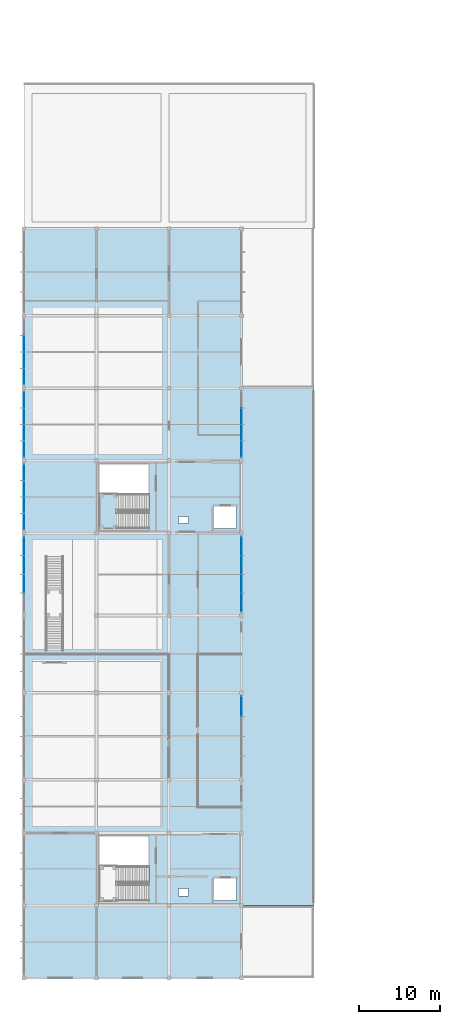
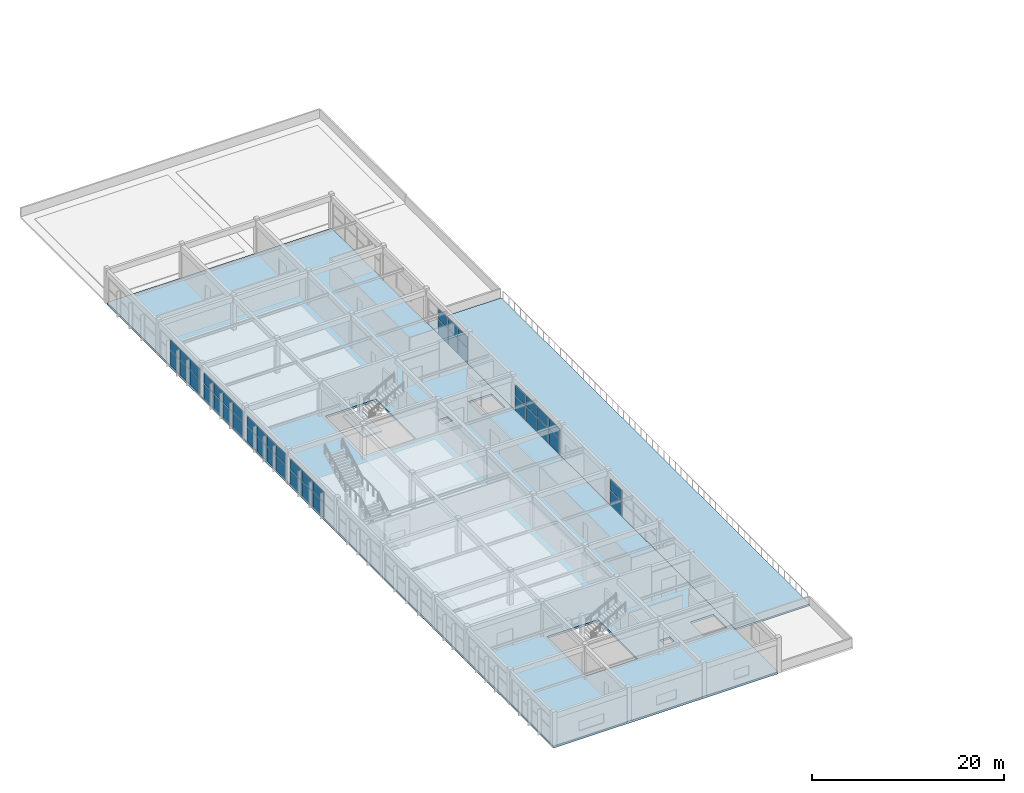
# One storey, part 11 of 22: 44 plates, 3 slabs, 8 elements without a shape of their own.
"""IFC4 building model written with IfcOpenShell, lengths in metres."""

import ifcopenshell
import ifcopenshell.guid

model = None  # the IFC model being written
_history = None  # IfcOwnerHistory: only IFC2X3 demands one
_inside = {}  # id of a spatial element -> (the spatial element, [elements in it])
_under = {}  # id of a project, library or spatial element -> (it, [spatial elements below it])
_declared = {}  # id of a project -> (the project, [libraries it declares])
_typed = {}  # id of a type object -> (the type object, [elements of that type])
_made_of = {}  # id of a material, layer set ... -> (it, [elements and type objects made of it])


def new_model(schema):
    """Start an empty IFC model of exactly this schema.

    Asked for "IFC4X3", IfcOpenShell would pick the latest addendum, in which some entities
    have other attributes; the version numbers below select the first issue.
    IFC2X3 requires an IfcOwnerHistory on every rooted entity: one is made here for all.
    """
    global model, _history
    if schema == "IFC4X3":
        model = ifcopenshell.file(schema_version=(4, 3, 0, 0))
    else:
        model = ifcopenshell.file(schema=schema)
    _inside.clear()
    _under.clear()
    _declared.clear()
    _typed.clear()
    _made_of.clear()
    _history = None
    if model.schema == "IFC2X3":
        org = make("IfcOrganization", Name="unknown")
        user = make(
            "IfcPersonAndOrganization",
            ThePerson=make("IfcPerson", FamilyName="unknown"),
            TheOrganization=org,
        )
        app = make(
            "IfcApplication",
            ApplicationDeveloper=org,
            Version="unknown",
            ApplicationFullName="unknown",
            ApplicationIdentifier="unknown",
        )
        _history = make(
            "IfcOwnerHistory",
            OwningUser=user,
            OwningApplication=app,
            ChangeAction="ADDED",
            CreationDate=0,
        )
    return model


def make(cls, **values):
    """One entity of the class cls with the attributes given. An attribute that is None is left unset."""
    return model.create_entity(
        cls, **{name: value for name, value in values.items() if value is not None}
    )


def rooted(cls, **values):
    """An entity with a GlobalId (a new one), such as an element, a storey or a relation."""
    return make(cls, GlobalId=ifcopenshell.guid.new(), OwnerHistory=_history, **values)


def si_unit(unit_type, name, prefix=None):
    """IfcSIUnit, for example si_unit("LENGTHUNIT", "METRE", prefix="MILLI")."""
    return make("IfcSIUnit", UnitType=unit_type, Prefix=prefix, Name=name)


def assignment(units):
    """IfcUnitAssignment: the units of a project."""
    return None if units is None else make("IfcUnitAssignment", Units=units)


def point(xyz):
    """IfcCartesianPoint."""
    return None if xyz is None else make("IfcCartesianPoint", Coordinates=xyz)


def direction(xyz):
    """IfcDirection."""
    return None if xyz is None else make("IfcDirection", DirectionRatios=xyz)


def frame(location, z_axis=None, x_axis=None):
    """IfcAxis2Placement3D, a coordinate frame: its origin and axes. An axis left out is left unset."""
    return make(
        "IfcAxis2Placement3D",
        Location=point(location),
        Axis=direction(z_axis),
        RefDirection=direction(x_axis),
    )


def origin():
    """The frame at (0, 0, 0) with its axes left unset."""
    return frame((0.0, 0.0, 0.0))


def place(relative_to, where):
    """IfcLocalPlacement: puts the frame where relative to a parent placement (None: the world)."""
    return make(
        "IfcLocalPlacement", PlacementRelTo=relative_to, RelativePlacement=where
    )


def context(
    kind, dimensions, precision=None, world=None, true_north=None, identifier=None
):
    """IfcGeometricRepresentationContext, for example the 3D "Model" context."""
    return make(
        "IfcGeometricRepresentationContext",
        ContextIdentifier=identifier,
        ContextType=kind,
        CoordinateSpaceDimension=dimensions,
        Precision=precision,
        WorldCoordinateSystem=world,
        TrueNorth=true_north,
    )


def subcontext(parent, identifier, kind, view, scale=None):
    """IfcGeometricRepresentationSubContext, for example "Body" below "Model"."""
    return make(
        "IfcGeometricRepresentationSubContext",
        ContextIdentifier=identifier,
        ContextType=kind,
        ParentContext=parent,
        TargetScale=scale,
        TargetView=view,
    )


def project(units=None, contexts=None):
    """IfcProject with its units and contexts."""
    return rooted(
        "IfcProject",
        Name="project",
        RepresentationContexts=contexts,
        UnitsInContext=assignment(units),
    )


def spatial(cls, under=None, at=None, **own):
    """A site, building, storey or space (cls), placed at a placement, below another one or the project."""
    s = rooted(cls, ObjectPlacement=at, **own)
    if under is not None:
        _under.setdefault(under.id(), (under, []))[1].append(s)
    return s


def polyline(points):
    """IfcPolyline through the points."""
    return make("IfcPolyline", Points=[point(p) for p in points])


def outline(outer, holes=None, kind="AREA"):
    """IfcArbitraryClosedProfileDef: a profile drawn as a closed curve; with holes, ...WithVoids."""
    if holes is None:
        return make("IfcArbitraryClosedProfileDef", ProfileType=kind, OuterCurve=outer)
    return make(
        "IfcArbitraryProfileDefWithVoids",
        ProfileType=kind,
        OuterCurve=outer,
        InnerCurves=holes,
    )


def extrude(swept, where, along, depth):
    """IfcExtrudedAreaSolid: the profile swept, set in the frame where, extruded along a direction by depth."""
    return make(
        "IfcExtrudedAreaSolid",
        SweptArea=swept,
        Position=where,
        ExtrudedDirection=direction(along),
        Depth=depth,
    )


def shape(context_of_items, identifier, shape_type, items):
    """IfcShapeRepresentation: the items that make up one representation, for example the "Body"."""
    return make(
        "IfcShapeRepresentation",
        ContextOfItems=context_of_items,
        RepresentationIdentifier=identifier,
        RepresentationType=shape_type,
        Items=items,
    )


def material(Name=None, Category=None):
    """IfcMaterial."""
    return make("IfcMaterial", Name=Name, Category=Category)


def layer(
    of_material, thickness, ventilated=None, Name=None, Category=None, Priority=None
):
    """IfcMaterialLayer: one layer of a wall or slab, of a material (None: an air gap)."""
    return make(
        "IfcMaterialLayer",
        Material=of_material,
        LayerThickness=thickness,
        IsVentilated=ventilated,
        Name=Name,
        Category=Category,
        Priority=Priority,
    )


def layer_set(layers, Name=None):
    """IfcMaterialLayerSet."""
    return make("IfcMaterialLayerSet", MaterialLayers=layers, LayerSetName=Name)


def made_of(thing, what):
    """Note that an element or type object is made of a material, layer set ...; save() writes the relation."""
    if what is not None:
        _made_of.setdefault(what.id(), (what, []))[1].append(thing)
    return thing


def type_object(cls, material=None, **own):
    """A type object (cls), such as IfcWallType, which elements share."""
    return made_of(rooted(cls, **own), material)


def element(
    cls,
    number,
    at=None,
    inside=None,
    cuts=None,
    type_object=None,
    material=None,
    context=None,
    identifier="Body",
    shape_type=None,
    held_by="IfcProductDefinitionShape",
    body=None,
    shapes=None,
    **own,
):
    """One element of the class cls, such as IfcWall. Its Tag is "e" and its number.

    at: its placement. inside: the storey or other place that contains it. cuts: it is an
    opening in that element (IfcRelVoidsElement). A single representation is given by context,
    identifier, shape_type and body (its items); several are given by shapes. held_by: the class
    of the entity that holds the representations. save() writes the other relations.
    """
    e = rooted(cls, Tag="e%d" % number, ObjectPlacement=at, **own)
    if body is not None:
        shapes = [shape(context, identifier, shape_type, body)]
    if shapes is not None:
        e.Representation = make(held_by, Representations=shapes)
    if inside is not None:
        _inside.setdefault(inside.id(), (inside, []))[1].append(e)
    if cuts is not None:
        rooted(
            "IfcRelVoidsElement", RelatingBuildingElement=cuts, RelatedOpeningElement=e
        )
    if type_object is not None:
        _typed.setdefault(type_object.id(), (type_object, []))[1].append(e)
    return made_of(e, material)


def aggregate(whole, parts):
    """IfcRelAggregates: a whole, such as a stair, and the parts it consists of."""
    return rooted("IfcRelAggregates", RelatingObject=whole, RelatedObjects=parts)


def save(model, path):
    """Write the relations noted so far, then the file.

    IfcRelAggregates (storeys below a building ...), IfcRelContainedInSpatialStructure (elements
    in a storey), IfcRelDefinesByType, IfcRelAssociatesMaterial and IfcRelDeclares: one each for
    every whole, place, type object, material and project.
    """
    for whole, parts in _under.values():
        aggregate(whole, parts)
    for where, things in _inside.values():
        rooted(
            "IfcRelContainedInSpatialStructure",
            RelatedElements=things,
            RelatingStructure=where,
        )
    for kind, things in _typed.values():
        rooted("IfcRelDefinesByType", RelatedObjects=things, RelatingType=kind)
    for what, things in _made_of.values():
        rooted("IfcRelAssociatesMaterial", RelatedObjects=things, RelatingMaterial=what)
    for by, libraries in _declared.values():
        rooted("IfcRelDeclares", RelatingContext=by, RelatedDefinitions=libraries)
    model.write(path)


model = new_model("IFC4")

# Units and contexts
model_context = context("Model", 3, precision=1e-05, world=origin(), true_north=direction((0.0, 1.0)))
body_context = subcontext(model_context, "Body", "Model", "MODEL_VIEW")
ifc_project = project(units=[si_unit("LENGTHUNIT", "METRE"), si_unit("AREAUNIT", "SQUARE_METRE"), si_unit("VOLUMEUNIT", "CUBIC_METRE"), si_unit("PLANEANGLEUNIT", "RADIAN"), si_unit("MASSUNIT", "GRAM", prefix="KILO")], contexts=[model_context])

# Site, building, storey
site_placement = place(None, origin())
site = spatial("IfcSite", under=ifc_project, at=site_placement, CompositionType="ELEMENT")
building_placement = place(site_placement, origin())
building = spatial("IfcBuilding", under=site, at=building_placement, Name="Suirenkawa Promenade Aquatics Centre", CompositionType="ELEMENT")
storey_placement = place(building_placement, frame((0.0, 0.0, 14.10009765625)))
storey = spatial("IfcBuildingStorey", under=building, at=storey_placement, Name="L03", CompositionType="ELEMENT", Elevation=14.10009765625)

# Curtain wall, plates
ifc_material_1 = material(Name="Anodised aluminium 6063-T6", Category="aluminium")
curtain_wall_type_1 = type_object("IfcCurtainWallType", Name="CWAT-V5EL03-74", PredefinedType="NOTDEFINED", material=ifc_material_1)
curtain_wall_1_placement = place(storey_placement, origin())
curtain_wall_1 = element("IfcCurtainWall", 1, at=curtain_wall_1_placement, inside=storey, type_object=curtain_wall_type_1, Name="Curtain wall CWA-74 CW-135", PredefinedType="NOTDEFINED")
ifc_material_2 = material(Name="Low-E thermally broken double glazing", Category="glass")
ifc_layer_1 = layer(ifc_material_2, 0.028076171875, Name="Low-E thermally broken double glazing", Category="glass")
ifc_layer_set_1 = layer_set([ifc_layer_1], Name="Low-E thermally broken double glazing")
plate_type_1 = type_object("IfcPlateType", Name="CWP-LOWE-28", PredefinedType="CURTAIN_PANEL", material=ifc_layer_set_1)
plate_1_placement = place(storey_placement, frame((27.0, 39.15087890625, 0.039794921875), z_axis=(0.0, 0.0, 1.0), x_axis=(0.0, -1.0, 0.0)))
plate_1 = element("IfcPlate", 2, at=plate_1_placement, type_object=plate_type_1, Name="Glazed panel CP-02 CWP-02743", PredefinedType="CURTAIN_PANEL", context=body_context, shape_type="SweptSolid", body=[
    extrude(outline(polyline([(0.0400390625, 0.0), (2.435546875, 0.0), (2.435546875, 1.8701171875), (0.0400390625, 1.8701171875), (0.0400390625, 0.0)])), frame((0.0, 0.01416015625, 0.0), z_axis=(0.0, -1.0, 0.0), x_axis=(1.0, 0.0, 0.0)), (0.0, 0.0, 1.0), 0.028076171875),
])
plate_2_placement = place(storey_placement, frame((27.0, 39.15087890625, 1.989990234375), z_axis=(0.0, 0.0, 1.0), x_axis=(0.0, -1.0, 0.0)))
plate_2 = element("IfcPlate", 3, at=plate_2_placement, type_object=plate_type_1, Name="Top glazed panel CP-02 CWP-02744", PredefinedType="CURTAIN_PANEL", context=body_context, shape_type="SweptSolid", body=[
    extrude(outline(polyline([(0.0400390625, 0.0), (2.435546875, 0.0), (2.435546875, 1.33984375), (0.0400390625, 1.33984375), (0.0400390625, 0.0)])), frame((0.0, 0.01416015625, 0.0), z_axis=(0.0, -1.0, 0.0), x_axis=(1.0, 0.0, 0.0)), (0.0, 0.0, 1.0), 0.028076171875),
])
aggregate(curtain_wall_1, [plate_1, plate_2])

curtain_wall_type_2 = type_object("IfcCurtainWallType", Name="CWAT-V5EL03-77", PredefinedType="NOTDEFINED", material=ifc_material_1)
curtain_wall_2_placement = place(storey_placement, origin())
curtain_wall_2 = element("IfcCurtainWall", 4, at=curtain_wall_2_placement, inside=storey, type_object=curtain_wall_type_2, Name="Curtain wall CWA-77 CW-138", PredefinedType="NOTDEFINED")
plate_3_placement = place(storey_placement, frame((27.0, 58.950927734375, 0.039794921875), z_axis=(0.0, 0.0, 1.0), x_axis=(0.0, -1.0, 0.0)))
plate_3 = element("IfcPlate", 5, at=plate_3_placement, type_object=plate_type_1, Name="Glazed panel CP-02 CWP-02809", PredefinedType="CURTAIN_PANEL", context=body_context, shape_type="SweptSolid", body=[
    extrude(outline(polyline([(0.0400390625, 0.0), (2.285400390625, 0.0), (2.285400390625, 1.8701171875), (0.0400390625, 1.8701171875), (0.0400390625, 0.0)])), frame((0.0, 0.01416015625, 0.0), z_axis=(0.0, -1.0, 0.0), x_axis=(1.0, 0.0, 0.0)), (0.0, 0.0, 1.0), 0.028076171875),
])
plate_4_placement = place(storey_placement, frame((27.0, 58.950927734375, 1.989990234375), z_axis=(0.0, 0.0, 1.0), x_axis=(0.0, -1.0, 0.0)))
plate_4 = element("IfcPlate", 6, at=plate_4_placement, type_object=plate_type_1, Name="Top glazed panel CP-02 CWP-02810", PredefinedType="CURTAIN_PANEL", context=body_context, shape_type="SweptSolid", body=[
    extrude(outline(polyline([(0.0400390625, 0.0), (2.285400390625, 0.0), (2.285400390625, 1.33984375), (0.0400390625, 1.33984375), (0.0400390625, 0.0)])), frame((0.0, 0.01416015625, 0.0), z_axis=(0.0, -1.0, 0.0), x_axis=(1.0, 0.0, 0.0)), (0.0, 0.0, 1.0), 0.028076171875),
])
plate_5_placement = place(storey_placement, frame((27.0, 56.62548828125, 0.039794921875), z_axis=(0.0, 0.0, 1.0), x_axis=(0.0, -1.0, 0.0)))
plate_5 = element("IfcPlate", 7, at=plate_5_placement, type_object=plate_type_1, Name="Glazed panel CP-02 CWP-02811", PredefinedType="CURTAIN_PANEL", context=body_context, shape_type="SweptSolid", body=[
    extrude(outline(polyline([(0.0400390625, 0.0), (2.285400390625, 0.0), (2.285400390625, 1.8701171875), (0.0400390625, 1.8701171875), (0.0400390625, 0.0)])), frame((0.0, 0.01416015625, 0.0), z_axis=(0.0, -1.0, 0.0), x_axis=(1.0, 0.0, 0.0)), (0.0, 0.0, 1.0), 0.028076171875),
])
plate_6_placement = place(storey_placement, frame((27.0, 56.62548828125, 1.989990234375), z_axis=(0.0, 0.0, 1.0), x_axis=(0.0, -1.0, 0.0)))
plate_6 = element("IfcPlate", 8, at=plate_6_placement, type_object=plate_type_1, Name="Top glazed panel CP-02 CWP-02812", PredefinedType="CURTAIN_PANEL", context=body_context, shape_type="SweptSolid", body=[
    extrude(outline(polyline([(0.0400390625, 0.0), (2.285400390625, 0.0), (2.285400390625, 1.33984375), (0.0400390625, 1.33984375), (0.0400390625, 0.0)])), frame((0.0, 0.01416015625, 0.0), z_axis=(0.0, -1.0, 0.0), x_axis=(1.0, 0.0, 0.0)), (0.0, 0.0, 1.0), 0.028076171875),
])
plate_7_placement = place(storey_placement, frame((27.0, 54.300048828125, 0.039794921875), z_axis=(0.0, 0.0, 1.0), x_axis=(0.0, -1.0, 0.0)))
plate_7 = element("IfcPlate", 9, at=plate_7_placement, type_object=plate_type_1, Name="Glazed panel CP-02 CWP-02813", PredefinedType="CURTAIN_PANEL", context=body_context, shape_type="SweptSolid", body=[
    extrude(outline(polyline([(0.0400390625, 0.0), (2.285400390625, 0.0), (2.285400390625, 1.8701171875), (0.0400390625, 1.8701171875), (0.0400390625, 0.0)])), frame((0.0, 0.01416015625, 0.0), z_axis=(0.0, -1.0, 0.0), x_axis=(1.0, 0.0, 0.0)), (0.0, 0.0, 1.0), 0.028076171875),
])
plate_8_placement = place(storey_placement, frame((27.0, 54.300048828125, 1.989990234375), z_axis=(0.0, 0.0, 1.0), x_axis=(0.0, -1.0, 0.0)))
plate_8 = element("IfcPlate", 10, at=plate_8_placement, type_object=plate_type_1, Name="Top glazed panel CP-02 CWP-02814", PredefinedType="CURTAIN_PANEL", context=body_context, shape_type="SweptSolid", body=[
    extrude(outline(polyline([(0.0400390625, 0.0), (2.285400390625, 0.0), (2.285400390625, 1.33984375), (0.0400390625, 1.33984375), (0.0400390625, 0.0)])), frame((0.0, 0.01416015625, 0.0), z_axis=(0.0, -1.0, 0.0), x_axis=(1.0, 0.0, 0.0)), (0.0, 0.0, 1.0), 0.028076171875),
])
plate_9_placement = place(storey_placement, frame((27.0, 51.974609375, 0.039794921875), z_axis=(0.0, 0.0, 1.0), x_axis=(0.0, -1.0, 0.0)))
plate_9 = element("IfcPlate", 11, at=plate_9_placement, type_object=plate_type_1, Name="Glazed panel CP-02 CWP-02815", PredefinedType="CURTAIN_PANEL", context=body_context, shape_type="SweptSolid", body=[
    extrude(outline(polyline([(0.0400390625, 0.0), (2.285400390625, 0.0), (2.285400390625, 1.8701171875), (0.0400390625, 1.8701171875), (0.0400390625, 0.0)])), frame((0.0, 0.01416015625, 0.0), z_axis=(0.0, -1.0, 0.0), x_axis=(1.0, 0.0, 0.0)), (0.0, 0.0, 1.0), 0.028076171875),
])
plate_10_placement = place(storey_placement, frame((27.0, 51.974609375, 1.989990234375), z_axis=(0.0, 0.0, 1.0), x_axis=(0.0, -1.0, 0.0)))
plate_10 = element("IfcPlate", 12, at=plate_10_placement, type_object=plate_type_1, Name="Top glazed panel CP-02 CWP-02816", PredefinedType="CURTAIN_PANEL", context=body_context, shape_type="SweptSolid", body=[
    extrude(outline(polyline([(0.0400390625, 0.0), (2.285400390625, 0.0), (2.285400390625, 1.33984375), (0.0400390625, 1.33984375), (0.0400390625, 0.0)])), frame((0.0, 0.01416015625, 0.0), z_axis=(0.0, -1.0, 0.0), x_axis=(1.0, 0.0, 0.0)), (0.0, 0.0, 1.0), 0.028076171875),
])
aggregate(curtain_wall_2, [plate_3, plate_4, plate_5, plate_6, plate_7, plate_8, plate_9, plate_10])

curtain_wall_type_3 = type_object("IfcCurtainWallType", Name="CWAT-V5EL03-78", PredefinedType="NOTDEFINED", material=ifc_material_1)
curtain_wall_3_placement = place(storey_placement, origin())
curtain_wall_3 = element("IfcCurtainWall", 13, at=curtain_wall_3_placement, inside=storey, type_object=curtain_wall_type_3, Name="Curtain wall CWA-78 CW-141", PredefinedType="NOTDEFINED")
plate_11_placement = place(storey_placement, frame((27.0, 74.925537109375, 0.039794921875), z_axis=(0.0, 0.0, 1.0), x_axis=(0.0, -1.0, 0.0)))
plate_11 = element("IfcPlate", 14, at=plate_11_placement, type_object=plate_type_1, Name="Glazed panel CP-02 CWP-02877", PredefinedType="CURTAIN_PANEL", context=body_context, shape_type="SweptSolid", body=[
    extrude(outline(polyline([(0.0400390625, 0.0), (1.985595703125, 0.0), (1.985595703125, 1.8701171875), (0.0400390625, 1.8701171875), (0.0400390625, 0.0)])), frame((0.0, 0.01416015625, 0.0), z_axis=(0.0, -1.0, 0.0), x_axis=(1.0, 0.0, 0.0)), (0.0, 0.0, 1.0), 0.028076171875),
])
plate_12_placement = place(storey_placement, frame((27.0, 74.925537109375, 1.989990234375), z_axis=(0.0, 0.0, 1.0), x_axis=(0.0, -1.0, 0.0)))
plate_12 = element("IfcPlate", 15, at=plate_12_placement, type_object=plate_type_1, Name="Top glazed panel CP-02 CWP-02878", PredefinedType="CURTAIN_PANEL", context=body_context, shape_type="SweptSolid", body=[
    extrude(outline(polyline([(0.0400390625, 0.0), (1.985595703125, 0.0), (1.985595703125, 1.33984375), (0.0400390625, 1.33984375), (0.0400390625, 0.0)])), frame((0.0, 0.01416015625, 0.0), z_axis=(0.0, -1.0, 0.0), x_axis=(1.0, 0.0, 0.0)), (0.0, 0.0, 1.0), 0.028076171875),
])
plate_13_placement = place(storey_placement, frame((27.0, 72.89990234375, 0.039794921875), z_axis=(0.0, 0.0, 1.0), x_axis=(0.0, -1.0, 0.0)))
plate_13 = element("IfcPlate", 16, at=plate_13_placement, type_object=plate_type_1, Name="Glazed panel CP-02 CWP-02879", PredefinedType="CURTAIN_PANEL", context=body_context, shape_type="SweptSolid", body=[
    extrude(outline(polyline([(0.0400390625, 0.0), (1.985595703125, 0.0), (1.985595703125, 1.8701171875), (0.0400390625, 1.8701171875), (0.0400390625, 0.0)])), frame((0.0, 0.01416015625, 0.0), z_axis=(0.0, -1.0, 0.0), x_axis=(1.0, 0.0, 0.0)), (0.0, 0.0, 1.0), 0.028076171875),
])
plate_14_placement = place(storey_placement, frame((27.0, 72.89990234375, 1.989990234375), z_axis=(0.0, 0.0, 1.0), x_axis=(0.0, -1.0, 0.0)))
plate_14 = element("IfcPlate", 17, at=plate_14_placement, type_object=plate_type_1, Name="Top glazed panel CP-02 CWP-02880", PredefinedType="CURTAIN_PANEL", context=body_context, shape_type="SweptSolid", body=[
    extrude(outline(polyline([(0.0400390625, 0.0), (1.985595703125, 0.0), (1.985595703125, 1.33984375), (0.0400390625, 1.33984375), (0.0400390625, 0.0)])), frame((0.0, 0.01416015625, 0.0), z_axis=(0.0, -1.0, 0.0), x_axis=(1.0, 0.0, 0.0)), (0.0, 0.0, 1.0), 0.028076171875),
])
plate_15_placement = place(storey_placement, frame((27.0, 70.87451171875, 0.039794921875), z_axis=(0.0, 0.0, 1.0), x_axis=(0.0, -1.0, 0.0)))
plate_15 = element("IfcPlate", 18, at=plate_15_placement, type_object=plate_type_1, Name="Glazed panel CP-02 CWP-02881", PredefinedType="CURTAIN_PANEL", context=body_context, shape_type="SweptSolid", body=[
    extrude(outline(polyline([(0.0400390625, 0.0), (1.985595703125, 0.0), (1.985595703125, 1.8701171875), (0.0400390625, 1.8701171875), (0.0400390625, 0.0)])), frame((0.0, 0.01416015625, 0.0), z_axis=(0.0, -1.0, 0.0), x_axis=(1.0, 0.0, 0.0)), (0.0, 0.0, 1.0), 0.028076171875),
])
plate_16_placement = place(storey_placement, frame((27.0, 70.87451171875, 1.989990234375), z_axis=(0.0, 0.0, 1.0), x_axis=(0.0, -1.0, 0.0)))
plate_16 = element("IfcPlate", 19, at=plate_16_placement, type_object=plate_type_1, Name="Top glazed panel CP-02 CWP-02882", PredefinedType="CURTAIN_PANEL", context=body_context, shape_type="SweptSolid", body=[
    extrude(outline(polyline([(0.0400390625, 0.0), (1.985595703125, 0.0), (1.985595703125, 1.33984375), (0.0400390625, 1.33984375), (0.0400390625, 0.0)])), frame((0.0, 0.01416015625, 0.0), z_axis=(0.0, -1.0, 0.0), x_axis=(1.0, 0.0, 0.0)), (0.0, 0.0, 1.0), 0.028076171875),
])
aggregate(curtain_wall_3, [plate_11, plate_12, plate_13, plate_14, plate_15, plate_16])

curtain_wall_type_4 = type_object("IfcCurtainWallType", Name="CWAT-V5WL03-76", PredefinedType="NOTDEFINED", material=ifc_material_1)
curtain_wall_4_placement = place(storey_placement, origin())
curtain_wall_4 = element("IfcCurtainWall", 20, at=curtain_wall_4_placement, inside=storey, type_object=curtain_wall_type_4, Name="Curtain wall CWA-76 CW-137", PredefinedType="NOTDEFINED")
ifc_material_3 = material(Name="Ceramic-fritted low-SHGC double glazing", Category="glass")
ifc_layer_2 = layer(ifc_material_3, 0.035888671875, Name="Ceramic-fritted low-SHGC double glazing", Category="glass")
ifc_layer_set_2 = layer_set([ifc_layer_2], Name="Ceramic-fritted low-SHGC double glazing")
plate_type_2 = type_object("IfcPlateType", Name="CWP-SHOJI-36", PredefinedType="CURTAIN_PANEL", material=ifc_layer_set_2)
plate_17_placement = place(storey_placement, frame((0.0, 51.974609375, 0.039794921875), z_axis=(0.0, 0.0, 1.0), x_axis=(0.0, 1.0, 0.0)))
plate_17 = element("IfcPlate", 21, at=plate_17_placement, type_object=plate_type_2, Name="Glazed panel CP-01 CWP-02789", PredefinedType="CURTAIN_PANEL", context=body_context, shape_type="SweptSolid", body=[
    extrude(outline(polyline([(0.0400390625, 0.0), (2.285400390625, 0.0), (2.285400390625, 1.8701171875), (0.0400390625, 1.8701171875), (0.0400390625, 0.0)])), frame((0.0, 0.01806640625, 0.0), z_axis=(0.0, -1.0, 0.0), x_axis=(1.0, 0.0, 0.0)), (0.0, 0.0, 1.0), 0.035888671875),
])
plate_18_placement = place(storey_placement, frame((0.0, 51.974609375, 1.989990234375), z_axis=(0.0, 0.0, 1.0), x_axis=(0.0, 1.0, 0.0)))
plate_18 = element("IfcPlate", 22, at=plate_18_placement, type_object=plate_type_2, Name="Top glazed panel CP-01 CWP-02790", PredefinedType="CURTAIN_PANEL", context=body_context, shape_type="SweptSolid", body=[
    extrude(outline(polyline([(0.0400390625, 0.0), (2.285400390625, 0.0), (2.285400390625, 1.33984375), (0.0400390625, 1.33984375), (0.0400390625, 0.0)])), frame((0.0, 0.01806640625, 0.0), z_axis=(0.0, -1.0, 0.0), x_axis=(1.0, 0.0, 0.0)), (0.0, 0.0, 1.0), 0.035888671875),
])
plate_19_placement = place(storey_placement, frame((0.0, 54.300048828125, 0.039794921875), z_axis=(0.0, 0.0, 1.0), x_axis=(0.0, 1.0, 0.0)))
plate_19 = element("IfcPlate", 23, at=plate_19_placement, type_object=plate_type_2, Name="Glazed panel CP-01 CWP-02791", PredefinedType="CURTAIN_PANEL", context=body_context, shape_type="SweptSolid", body=[
    extrude(outline(polyline([(0.0400390625, 0.0), (2.285400390625, 0.0), (2.285400390625, 1.8701171875), (0.0400390625, 1.8701171875), (0.0400390625, 0.0)])), frame((0.0, 0.01806640625, 0.0), z_axis=(0.0, -1.0, 0.0), x_axis=(1.0, 0.0, 0.0)), (0.0, 0.0, 1.0), 0.035888671875),
])
plate_20_placement = place(storey_placement, frame((0.0, 54.300048828125, 1.989990234375), z_axis=(0.0, 0.0, 1.0), x_axis=(0.0, 1.0, 0.0)))
plate_20 = element("IfcPlate", 24, at=plate_20_placement, type_object=plate_type_2, Name="Top glazed panel CP-01 CWP-02792", PredefinedType="CURTAIN_PANEL", context=body_context, shape_type="SweptSolid", body=[
    extrude(outline(polyline([(0.0400390625, 0.0), (2.285400390625, 0.0), (2.285400390625, 1.33984375), (0.0400390625, 1.33984375), (0.0400390625, 0.0)])), frame((0.0, 0.01806640625, 0.0), z_axis=(0.0, -1.0, 0.0), x_axis=(1.0, 0.0, 0.0)), (0.0, 0.0, 1.0), 0.035888671875),
])
plate_21_placement = place(storey_placement, frame((0.0, 56.62548828125, 0.039794921875), z_axis=(0.0, 0.0, 1.0), x_axis=(0.0, 1.0, 0.0)))
plate_21 = element("IfcPlate", 25, at=plate_21_placement, type_object=plate_type_2, Name="Glazed panel CP-01 CWP-02793", PredefinedType="CURTAIN_PANEL", context=body_context, shape_type="SweptSolid", body=[
    extrude(outline(polyline([(0.0400390625, 0.0), (2.285400390625, 0.0), (2.285400390625, 1.8701171875), (0.0400390625, 1.8701171875), (0.0400390625, 0.0)])), frame((0.0, 0.01806640625, 0.0), z_axis=(0.0, -1.0, 0.0), x_axis=(1.0, 0.0, 0.0)), (0.0, 0.0, 1.0), 0.035888671875),
])
plate_22_placement = place(storey_placement, frame((0.0, 56.62548828125, 1.989990234375), z_axis=(0.0, 0.0, 1.0), x_axis=(0.0, 1.0, 0.0)))
plate_22 = element("IfcPlate", 26, at=plate_22_placement, type_object=plate_type_2, Name="Top glazed panel CP-01 CWP-02794", PredefinedType="CURTAIN_PANEL", context=body_context, shape_type="SweptSolid", body=[
    extrude(outline(polyline([(0.0400390625, 0.0), (2.285400390625, 0.0), (2.285400390625, 1.33984375), (0.0400390625, 1.33984375), (0.0400390625, 0.0)])), frame((0.0, 0.01806640625, 0.0), z_axis=(0.0, -1.0, 0.0), x_axis=(1.0, 0.0, 0.0)), (0.0, 0.0, 1.0), 0.035888671875),
])
aggregate(curtain_wall_4, [plate_17, plate_18, plate_19, plate_20, plate_21, plate_22])

curtain_wall_type_5 = type_object("IfcCurtainWallType", Name="CWAT-V5WL03-71", PredefinedType="NOTDEFINED", material=ifc_material_1)
curtain_wall_5_placement = place(storey_placement, origin())
curtain_wall_5 = element("IfcCurtainWall", 27, at=curtain_wall_5_placement, inside=storey, type_object=curtain_wall_type_5, Name="Curtain wall CWA-71 CW-139", PredefinedType="NOTDEFINED")
plate_23_placement = place(storey_placement, frame((0.0, 59.84912109375, 0.039794921875), z_axis=(0.0, 0.0, 1.0), x_axis=(0.0, 1.0, 0.0)))
plate_23 = element("IfcPlate", 28, at=plate_23_placement, type_object=plate_type_2, Name="Glazed panel CP-01 CWP-02831", PredefinedType="CURTAIN_PANEL", context=body_context, shape_type="SweptSolid", body=[
    extrude(outline(polyline([(0.0400390625, 0.0), (1.985595703125, 0.0), (1.985595703125, 1.8701171875), (0.0400390625, 1.8701171875), (0.0400390625, 0.0)])), frame((0.0, 0.01806640625, 0.0), z_axis=(0.0, -1.0, 0.0), x_axis=(1.0, 0.0, 0.0)), (0.0, 0.0, 1.0), 0.035888671875),
])
plate_24_placement = place(storey_placement, frame((0.0, 59.84912109375, 1.989990234375), z_axis=(0.0, 0.0, 1.0), x_axis=(0.0, 1.0, 0.0)))
plate_24 = element("IfcPlate", 29, at=plate_24_placement, type_object=plate_type_2, Name="Top glazed panel CP-01 CWP-02832", PredefinedType="CURTAIN_PANEL", context=body_context, shape_type="SweptSolid", body=[
    extrude(outline(polyline([(0.0400390625, 0.0), (1.985595703125, 0.0), (1.985595703125, 1.33984375), (0.0400390625, 1.33984375), (0.0400390625, 0.0)])), frame((0.0, 0.01806640625, 0.0), z_axis=(0.0, -1.0, 0.0), x_axis=(1.0, 0.0, 0.0)), (0.0, 0.0, 1.0), 0.035888671875),
])
plate_25_placement = place(storey_placement, frame((0.0, 61.87451171875, 0.039794921875), z_axis=(0.0, 0.0, 1.0), x_axis=(0.0, 1.0, 0.0)))
plate_25 = element("IfcPlate", 30, at=plate_25_placement, type_object=plate_type_2, Name="Glazed panel CP-01 CWP-02833", PredefinedType="CURTAIN_PANEL", context=body_context, shape_type="SweptSolid", body=[
    extrude(outline(polyline([(0.0400390625, 0.0), (1.985595703125, 0.0), (1.985595703125, 1.8701171875), (0.0400390625, 1.8701171875), (0.0400390625, 0.0)])), frame((0.0, 0.01806640625, 0.0), z_axis=(0.0, -1.0, 0.0), x_axis=(1.0, 0.0, 0.0)), (0.0, 0.0, 1.0), 0.035888671875),
])
plate_26_placement = place(storey_placement, frame((0.0, 61.87451171875, 1.989990234375), z_axis=(0.0, 0.0, 1.0), x_axis=(0.0, 1.0, 0.0)))
plate_26 = element("IfcPlate", 31, at=plate_26_placement, type_object=plate_type_2, Name="Top glazed panel CP-01 CWP-02834", PredefinedType="CURTAIN_PANEL", context=body_context, shape_type="SweptSolid", body=[
    extrude(outline(polyline([(0.0400390625, 0.0), (1.985595703125, 0.0), (1.985595703125, 1.33984375), (0.0400390625, 1.33984375), (0.0400390625, 0.0)])), frame((0.0, 0.01806640625, 0.0), z_axis=(0.0, -1.0, 0.0), x_axis=(1.0, 0.0, 0.0)), (0.0, 0.0, 1.0), 0.035888671875),
])
plate_27_placement = place(storey_placement, frame((0.0, 63.89990234375, 0.039794921875), z_axis=(0.0, 0.0, 1.0), x_axis=(0.0, 1.0, 0.0)))
plate_27 = element("IfcPlate", 32, at=plate_27_placement, type_object=plate_type_2, Name="Glazed panel CP-01 CWP-02835", PredefinedType="CURTAIN_PANEL", context=body_context, shape_type="SweptSolid", body=[
    extrude(outline(polyline([(0.0400390625, 0.0), (1.985595703125, 0.0), (1.985595703125, 1.8701171875), (0.0400390625, 1.8701171875), (0.0400390625, 0.0)])), frame((0.0, 0.01806640625, 0.0), z_axis=(0.0, -1.0, 0.0), x_axis=(1.0, 0.0, 0.0)), (0.0, 0.0, 1.0), 0.035888671875),
])
plate_28_placement = place(storey_placement, frame((0.0, 63.89990234375, 1.989990234375), z_axis=(0.0, 0.0, 1.0), x_axis=(0.0, 1.0, 0.0)))
plate_28 = element("IfcPlate", 33, at=plate_28_placement, type_object=plate_type_2, Name="Top glazed panel CP-01 CWP-02836", PredefinedType="CURTAIN_PANEL", context=body_context, shape_type="SweptSolid", body=[
    extrude(outline(polyline([(0.0400390625, 0.0), (1.985595703125, 0.0), (1.985595703125, 1.33984375), (0.0400390625, 1.33984375), (0.0400390625, 0.0)])), frame((0.0, 0.01806640625, 0.0), z_axis=(0.0, -1.0, 0.0), x_axis=(1.0, 0.0, 0.0)), (0.0, 0.0, 1.0), 0.035888671875),
])
plate_29_placement = place(storey_placement, frame((0.0, 65.925537109375, 0.039794921875), z_axis=(0.0, 0.0, 1.0), x_axis=(0.0, 1.0, 0.0)))
plate_29 = element("IfcPlate", 34, at=plate_29_placement, type_object=plate_type_2, Name="Glazed panel CP-01 CWP-02837", PredefinedType="CURTAIN_PANEL", context=body_context, shape_type="SweptSolid", body=[
    extrude(outline(polyline([(0.0400390625, 0.0), (1.985595703125, 0.0), (1.985595703125, 1.8701171875), (0.0400390625, 1.8701171875), (0.0400390625, 0.0)])), frame((0.0, 0.01806640625, 0.0), z_axis=(0.0, -1.0, 0.0), x_axis=(1.0, 0.0, 0.0)), (0.0, 0.0, 1.0), 0.035888671875),
])
plate_30_placement = place(storey_placement, frame((0.0, 65.925537109375, 1.989990234375), z_axis=(0.0, 0.0, 1.0), x_axis=(0.0, 1.0, 0.0)))
plate_30 = element("IfcPlate", 35, at=plate_30_placement, type_object=plate_type_2, Name="Top glazed panel CP-01 CWP-02838", PredefinedType="CURTAIN_PANEL", context=body_context, shape_type="SweptSolid", body=[
    extrude(outline(polyline([(0.0400390625, 0.0), (1.985595703125, 0.0), (1.985595703125, 1.33984375), (0.0400390625, 1.33984375), (0.0400390625, 0.0)])), frame((0.0, 0.01806640625, 0.0), z_axis=(0.0, -1.0, 0.0), x_axis=(1.0, 0.0, 0.0)), (0.0, 0.0, 1.0), 0.035888671875),
])
aggregate(curtain_wall_5, [plate_23, plate_24, plate_25, plate_26, plate_27, plate_28, plate_29, plate_30])

curtain_wall_6_placement = place(storey_placement, origin())
curtain_wall_6 = element("IfcCurtainWall", 36, at=curtain_wall_6_placement, inside=storey, type_object=curtain_wall_type_5, Name="Curtain wall CWA-71 CW-140", PredefinedType="NOTDEFINED")
plate_31_placement = place(storey_placement, frame((0.0, 68.84912109375, 0.039794921875), z_axis=(0.0, 0.0, 1.0), x_axis=(0.0, 1.0, 0.0)))
plate_31 = element("IfcPlate", 37, at=plate_31_placement, type_object=plate_type_2, Name="Glazed panel CP-01 CWP-02853", PredefinedType="CURTAIN_PANEL", context=body_context, shape_type="SweptSolid", body=[
    extrude(outline(polyline([(0.0400390625, 0.0), (1.985595703125, 0.0), (1.985595703125, 1.8701171875), (0.0400390625, 1.8701171875), (0.0400390625, 0.0)])), frame((0.0, 0.01806640625, 0.0), z_axis=(0.0, -1.0, 0.0), x_axis=(1.0, 0.0, 0.0)), (0.0, 0.0, 1.0), 0.035888671875),
])
plate_32_placement = place(storey_placement, frame((0.0, 68.84912109375, 1.989990234375), z_axis=(0.0, 0.0, 1.0), x_axis=(0.0, 1.0, 0.0)))
plate_32 = element("IfcPlate", 38, at=plate_32_placement, type_object=plate_type_2, Name="Top glazed panel CP-01 CWP-02854", PredefinedType="CURTAIN_PANEL", context=body_context, shape_type="SweptSolid", body=[
    extrude(outline(polyline([(0.0400390625, 0.0), (1.985595703125, 0.0), (1.985595703125, 1.33984375), (0.0400390625, 1.33984375), (0.0400390625, 0.0)])), frame((0.0, 0.01806640625, 0.0), z_axis=(0.0, -1.0, 0.0), x_axis=(1.0, 0.0, 0.0)), (0.0, 0.0, 1.0), 0.035888671875),
])
plate_33_placement = place(storey_placement, frame((0.0, 70.87451171875, 0.039794921875), z_axis=(0.0, 0.0, 1.0), x_axis=(0.0, 1.0, 0.0)))
plate_33 = element("IfcPlate", 39, at=plate_33_placement, type_object=plate_type_2, Name="Glazed panel CP-01 CWP-02855", PredefinedType="CURTAIN_PANEL", context=body_context, shape_type="SweptSolid", body=[
    extrude(outline(polyline([(0.0400390625, 0.0), (1.985595703125, 0.0), (1.985595703125, 1.8701171875), (0.0400390625, 1.8701171875), (0.0400390625, 0.0)])), frame((0.0, 0.01806640625, 0.0), z_axis=(0.0, -1.0, 0.0), x_axis=(1.0, 0.0, 0.0)), (0.0, 0.0, 1.0), 0.035888671875),
])
plate_34_placement = place(storey_placement, frame((0.0, 70.87451171875, 1.989990234375), z_axis=(0.0, 0.0, 1.0), x_axis=(0.0, 1.0, 0.0)))
plate_34 = element("IfcPlate", 40, at=plate_34_placement, type_object=plate_type_2, Name="Top glazed panel CP-01 CWP-02856", PredefinedType="CURTAIN_PANEL", context=body_context, shape_type="SweptSolid", body=[
    extrude(outline(polyline([(0.0400390625, 0.0), (1.985595703125, 0.0), (1.985595703125, 1.33984375), (0.0400390625, 1.33984375), (0.0400390625, 0.0)])), frame((0.0, 0.01806640625, 0.0), z_axis=(0.0, -1.0, 0.0), x_axis=(1.0, 0.0, 0.0)), (0.0, 0.0, 1.0), 0.035888671875),
])
plate_35_placement = place(storey_placement, frame((0.0, 72.89990234375, 0.039794921875), z_axis=(0.0, 0.0, 1.0), x_axis=(0.0, 1.0, 0.0)))
plate_35 = element("IfcPlate", 41, at=plate_35_placement, type_object=plate_type_2, Name="Glazed panel CP-01 CWP-02857", PredefinedType="CURTAIN_PANEL", context=body_context, shape_type="SweptSolid", body=[
    extrude(outline(polyline([(0.0400390625, 0.0), (1.985595703125, 0.0), (1.985595703125, 1.8701171875), (0.0400390625, 1.8701171875), (0.0400390625, 0.0)])), frame((0.0, 0.01806640625, 0.0), z_axis=(0.0, -1.0, 0.0), x_axis=(1.0, 0.0, 0.0)), (0.0, 0.0, 1.0), 0.035888671875),
])
plate_36_placement = place(storey_placement, frame((0.0, 72.89990234375, 1.989990234375), z_axis=(0.0, 0.0, 1.0), x_axis=(0.0, 1.0, 0.0)))
plate_36 = element("IfcPlate", 42, at=plate_36_placement, type_object=plate_type_2, Name="Top glazed panel CP-01 CWP-02858", PredefinedType="CURTAIN_PANEL", context=body_context, shape_type="SweptSolid", body=[
    extrude(outline(polyline([(0.0400390625, 0.0), (1.985595703125, 0.0), (1.985595703125, 1.33984375), (0.0400390625, 1.33984375), (0.0400390625, 0.0)])), frame((0.0, 0.01806640625, 0.0), z_axis=(0.0, -1.0, 0.0), x_axis=(1.0, 0.0, 0.0)), (0.0, 0.0, 1.0), 0.035888671875),
])
plate_37_placement = place(storey_placement, frame((0.0, 74.925537109375, 0.039794921875), z_axis=(0.0, 0.0, 1.0), x_axis=(0.0, 1.0, 0.0)))
plate_37 = element("IfcPlate", 43, at=plate_37_placement, type_object=plate_type_2, Name="Glazed panel CP-01 CWP-02859", PredefinedType="CURTAIN_PANEL", context=body_context, shape_type="SweptSolid", body=[
    extrude(outline(polyline([(0.0400390625, 0.0), (1.985595703125, 0.0), (1.985595703125, 1.8701171875), (0.0400390625, 1.8701171875), (0.0400390625, 0.0)])), frame((0.0, 0.01806640625, 0.0), z_axis=(0.0, -1.0, 0.0), x_axis=(1.0, 0.0, 0.0)), (0.0, 0.0, 1.0), 0.035888671875),
])
plate_38_placement = place(storey_placement, frame((0.0, 74.925537109375, 1.989990234375), z_axis=(0.0, 0.0, 1.0), x_axis=(0.0, 1.0, 0.0)))
plate_38 = element("IfcPlate", 44, at=plate_38_placement, type_object=plate_type_2, Name="Top glazed panel CP-01 CWP-02860", PredefinedType="CURTAIN_PANEL", context=body_context, shape_type="SweptSolid", body=[
    extrude(outline(polyline([(0.0400390625, 0.0), (1.985595703125, 0.0), (1.985595703125, 1.33984375), (0.0400390625, 1.33984375), (0.0400390625, 0.0)])), frame((0.0, 0.01806640625, 0.0), z_axis=(0.0, -1.0, 0.0), x_axis=(1.0, 0.0, 0.0)), (0.0, 0.0, 1.0), 0.035888671875),
])
aggregate(curtain_wall_6, [plate_31, plate_32, plate_33, plate_34, plate_35, plate_36, plate_37, plate_38])

curtain_wall_7_placement = place(storey_placement, origin())
curtain_wall_7 = element("IfcCurtainWall", 45, at=curtain_wall_7_placement, inside=storey, type_object=curtain_wall_type_5, Name="Curtain wall CWA-71 CW-142", PredefinedType="NOTDEFINED")
plate_39_placement = place(storey_placement, frame((0.0, 77.84912109375, 0.039794921875), z_axis=(0.0, 0.0, 1.0), x_axis=(0.0, 1.0, 0.0)))
plate_39 = element("IfcPlate", 46, at=plate_39_placement, type_object=plate_type_2, Name="Glazed panel CP-01 CWP-02897", PredefinedType="CURTAIN_PANEL", context=body_context, shape_type="SweptSolid", body=[
    extrude(outline(polyline([(0.0400390625, 0.0), (1.985595703125, 0.0), (1.985595703125, 1.8701171875), (0.0400390625, 1.8701171875), (0.0400390625, 0.0)])), frame((0.0, 0.01806640625, 0.0), z_axis=(0.0, -1.0, 0.0), x_axis=(1.0, 0.0, 0.0)), (0.0, 0.0, 1.0), 0.035888671875),
])
plate_40_placement = place(storey_placement, frame((0.0, 77.84912109375, 1.989990234375), z_axis=(0.0, 0.0, 1.0), x_axis=(0.0, 1.0, 0.0)))
plate_40 = element("IfcPlate", 47, at=plate_40_placement, type_object=plate_type_2, Name="Top glazed panel CP-01 CWP-02898", PredefinedType="CURTAIN_PANEL", context=body_context, shape_type="SweptSolid", body=[
    extrude(outline(polyline([(0.0400390625, 0.0), (1.985595703125, 0.0), (1.985595703125, 1.33984375), (0.0400390625, 1.33984375), (0.0400390625, 0.0)])), frame((0.0, 0.01806640625, 0.0), z_axis=(0.0, -1.0, 0.0), x_axis=(1.0, 0.0, 0.0)), (0.0, 0.0, 1.0), 0.035888671875),
])
plate_41_placement = place(storey_placement, frame((0.0, 79.87451171875, 0.039794921875), z_axis=(0.0, 0.0, 1.0), x_axis=(0.0, 1.0, 0.0)))
plate_41 = element("IfcPlate", 48, at=plate_41_placement, type_object=plate_type_2, Name="Glazed panel CP-01 CWP-02899", PredefinedType="CURTAIN_PANEL", context=body_context, shape_type="SweptSolid", body=[
    extrude(outline(polyline([(0.0400390625, 0.0), (1.985595703125, 0.0), (1.985595703125, 1.8701171875), (0.0400390625, 1.8701171875), (0.0400390625, 0.0)])), frame((0.0, 0.01806640625, 0.0), z_axis=(0.0, -1.0, 0.0), x_axis=(1.0, 0.0, 0.0)), (0.0, 0.0, 1.0), 0.035888671875),
])
plate_42_placement = place(storey_placement, frame((0.0, 79.87451171875, 1.989990234375), z_axis=(0.0, 0.0, 1.0), x_axis=(0.0, 1.0, 0.0)))
plate_42 = element("IfcPlate", 49, at=plate_42_placement, type_object=plate_type_2, Name="Top glazed panel CP-01 CWP-02900", PredefinedType="CURTAIN_PANEL", context=body_context, shape_type="SweptSolid", body=[
    extrude(outline(polyline([(0.0400390625, 0.0), (1.985595703125, 0.0), (1.985595703125, 1.33984375), (0.0400390625, 1.33984375), (0.0400390625, 0.0)])), frame((0.0, 0.01806640625, 0.0), z_axis=(0.0, -1.0, 0.0), x_axis=(1.0, 0.0, 0.0)), (0.0, 0.0, 1.0), 0.035888671875),
])
plate_43_placement = place(storey_placement, frame((0.0, 81.89990234375, 0.039794921875), z_axis=(0.0, 0.0, 1.0), x_axis=(0.0, 1.0, 0.0)))
plate_43 = element("IfcPlate", 50, at=plate_43_placement, type_object=plate_type_2, Name="Glazed panel CP-01 CWP-02901", PredefinedType="CURTAIN_PANEL", context=body_context, shape_type="SweptSolid", body=[
    extrude(outline(polyline([(0.0400390625, 0.0), (1.985595703125, 0.0), (1.985595703125, 1.8701171875), (0.0400390625, 1.8701171875), (0.0400390625, 0.0)])), frame((0.0, 0.01806640625, 0.0), z_axis=(0.0, -1.0, 0.0), x_axis=(1.0, 0.0, 0.0)), (0.0, 0.0, 1.0), 0.035888671875),
])
plate_44_placement = place(storey_placement, frame((0.0, 81.89990234375, 1.989990234375), z_axis=(0.0, 0.0, 1.0), x_axis=(0.0, 1.0, 0.0)))
plate_44 = element("IfcPlate", 51, at=plate_44_placement, type_object=plate_type_2, Name="Top glazed panel CP-01 CWP-02902", PredefinedType="CURTAIN_PANEL", context=body_context, shape_type="SweptSolid", body=[
    extrude(outline(polyline([(0.0400390625, 0.0), (1.985595703125, 0.0), (1.985595703125, 1.33984375), (0.0400390625, 1.33984375), (0.0400390625, 0.0)])), frame((0.0, 0.01806640625, 0.0), z_axis=(0.0, -1.0, 0.0), x_axis=(1.0, 0.0, 0.0)), (0.0, 0.0, 1.0), 0.035888671875),
])
aggregate(curtain_wall_7, [plate_39, plate_40, plate_41, plate_42, plate_43, plate_44])

# Stair, slab
ifc_material_4 = material(Name="Concrete M40", Category="concrete")
stair_type = type_object("IfcStairType", Name="STT-CORE-2100-450", PredefinedType="TWO_STRAIGHT_RUN_STAIR", material=ifc_material_4)
stair_placement = place(storey_placement, origin())
stair = element("IfcStair", 52, at=stair_placement, inside=storey, type_object=stair_type, Name="Protected exit stair STR-02 ST-10", PredefinedType="TWO_STRAIGHT_RUN_STAIR")
ifc_layer_3 = layer(ifc_material_4, 0.169921875, Name="Concrete M40", Category="concrete")
ifc_layer_set_3 = layer_set([ifc_layer_3], Name="Concrete M40")
slab_type_1 = type_object("IfcSlabType", Name="SLT-LANDING-170", PredefinedType="LANDING", material=ifc_layer_set_3)
slab_1_placement = place(storey_placement, frame((0.0, 0.0, 2.06982421875)))
slab_1 = element("IfcSlab", 53, at=slab_1_placement, type_object=slab_type_1, Name="Stair landing SL-LND-01 SL-8010", PredefinedType="LANDING", context=body_context, shape_type="SweptSolid", body=[
    extrude(outline(polyline([(9.360107421875, 59.919921875), (11.550048828125, 59.919921875), (11.550048828125, 64.31005859375), (9.360107421875, 64.31005859375), (9.360107421875, 59.919921875)])), origin(), (0.0, 0.0, 1.0), 0.18017578125),
])
aggregate(stair, [slab_1])

# Slabs
ifc_material_5 = material(Name="Waterproof concrete M40", Category="concrete")
ifc_layer_4 = layer(ifc_material_5, 0.219970703125, Name="Waterproof concrete M40", Category="concrete")
ifc_layer_set_4 = layer_set([ifc_layer_4], Name="Waterproof concrete M40")
slab_type_2 = type_object("IfcSlabType", Name="SLT-TERR-220", PredefinedType="FLOOR", material=ifc_layer_set_4)
slab_2_placement = place(storey_placement, frame((0.0, 0.0, -0.22021484375)))
element("IfcSlab", 54, at=slab_2_placement, inside=storey, type_object=slab_type_2, Name="V5 L03 wellness terrace SL-EXT-01 SL-0069", PredefinedType="FLOOR", context=body_context, shape_type="SweptSolid", body=[
    extrude(outline(polyline([(27.0, 13.199951171875), (36.0, 13.199951171875), (36.0, 77.39990234375), (27.0, 77.39990234375), (27.0, 13.199951171875)])), origin(), (0.0, 0.0, 1.0), 0.22021484375),
])
ifc_material_6 = material(Name="Concrete M35", Category="concrete")
ifc_layer_5 = layer(ifc_material_6, 0.260009765625, Name="Concrete M35", Category="concrete")
ifc_layer_set_5 = layer_set([ifc_layer_5], Name="Concrete M35")
slab_type_3 = type_object("IfcSlabType", Name="SLT-WELL-260", PredefinedType="FLOOR", material=ifc_layer_set_5)
slab_3_placement = place(storey_placement, frame((0.0, 0.0, -0.260009765625)))
element("IfcSlab", 55, at=slab_3_placement, inside=storey, type_object=slab_type_3, Name="V5 L03 dojo studios floor SL-FLR-04 SL-0068", PredefinedType="FLOOR", context=body_context, shape_type="SweptSolid", body=[
    extrude(outline(polyline([(0.0, 4.199951171875), (27.0, 4.199951171875), (27.0, 97.199951171875), (0.0, 97.199951171875), (0.0, 4.199951171875)]), holes=[polyline([(9.360107421875, 13.56005859375), (15.5, 13.56005859375), (15.5, 21.760009765625), (9.360107421875, 21.760009765625), (9.360107421875, 13.56005859375)]), polyline([(23.60009765625, 13.800048828125), (26.39990234375, 13.800048828125), (26.39990234375, 16.60009765625), (23.60009765625, 16.60009765625), (23.60009765625, 13.800048828125)]), polyline([(9.360107421875, 59.760009765625), (15.5, 59.760009765625), (15.5, 67.9599609375), (9.360107421875, 67.9599609375), (9.360107421875, 59.760009765625)]), polyline([(23.60009765625, 60.0), (26.39990234375, 60.0), (26.39990234375, 62.800048828125), (23.60009765625, 62.800048828125), (23.60009765625, 60.0)]), polyline([(19.199951171875, 14.39990234375), (20.39990234375, 14.39990234375), (20.39990234375, 15.300048828125), (19.199951171875, 15.300048828125), (19.199951171875, 14.39990234375)]), polyline([(19.199951171875, 60.60009765625), (20.39990234375, 60.60009765625), (20.39990234375, 61.5), (19.199951171875, 61.5), (19.199951171875, 60.60009765625)])]), origin(), (0.0, 0.0, 1.0), 0.260009765625),
])

save(model, "model.ifc")
